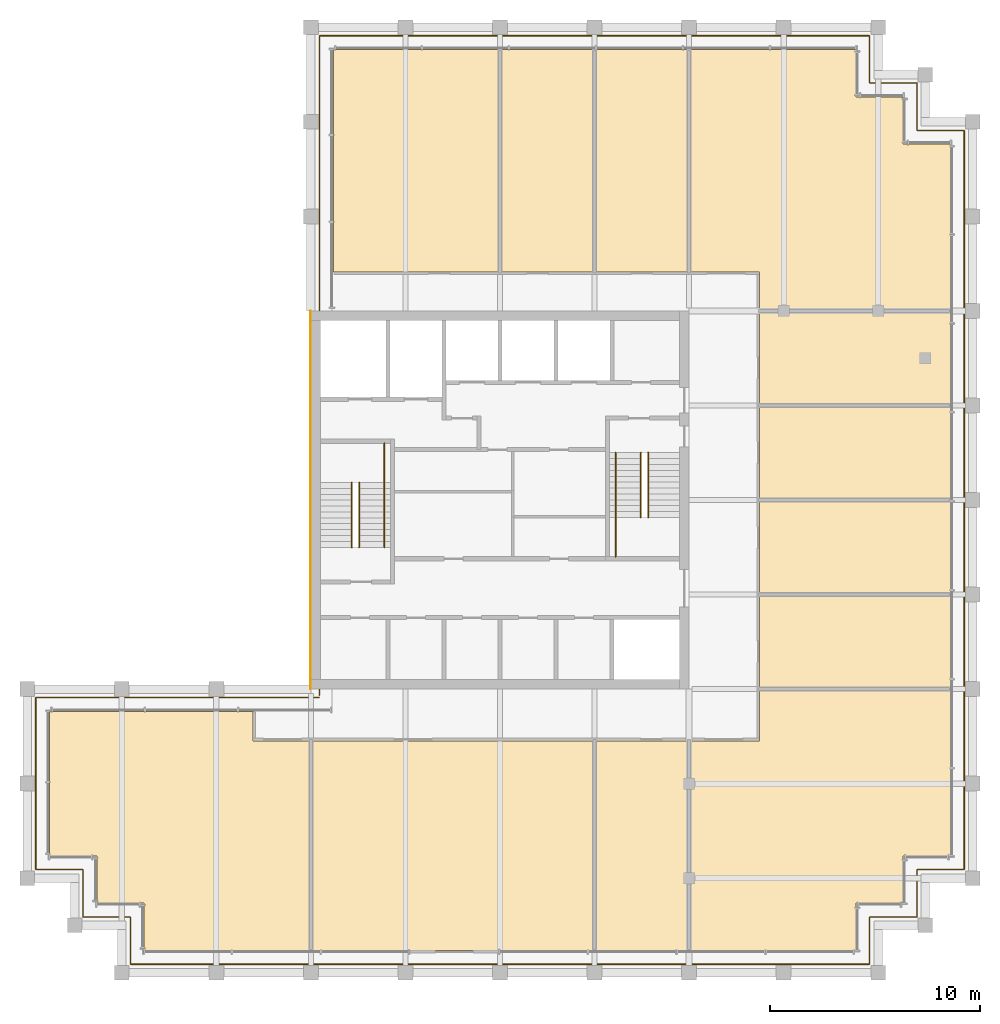
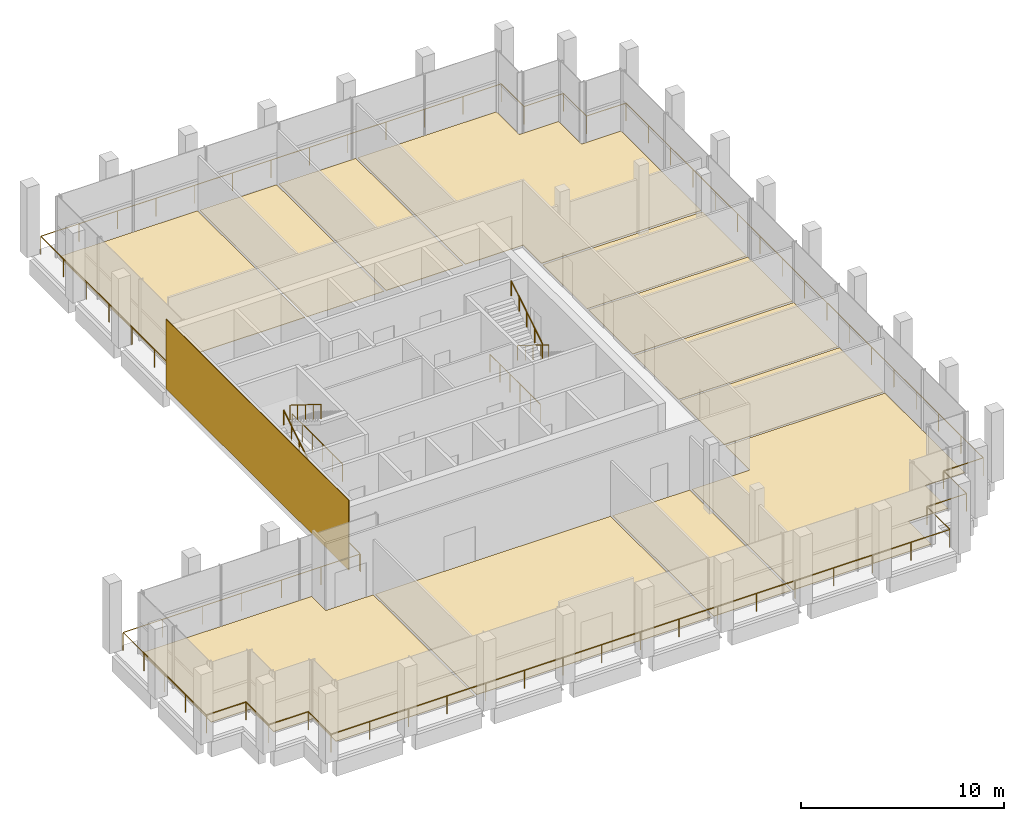
# One storey, part 17 of 17: 13 coverings, 7 railings.
"""IFC4 building model written with IfcOpenShell, lengths in metres."""

from ifc_helpers import new_model, si_unit, direction, frame, origin, origin_2d, place, context, subcontext, project, spatial, polyline, rectangle, circle, outline, extrude, source, transform, mapped, material, layer, layer_set, type_object, element, save


model = new_model("IFC4")

# Units and contexts
model_context = context("Model", 3, precision=1e-05, world=origin(), true_north=direction((0.0, 1.0)))
body_context = subcontext(model_context, "Body", "Model", "MODEL_VIEW")
ifc_project = project(units=[si_unit("LENGTHUNIT", "METRE"), si_unit("AREAUNIT", "SQUARE_METRE"), si_unit("VOLUMEUNIT", "CUBIC_METRE"), si_unit("PLANEANGLEUNIT", "RADIAN"), si_unit("MASSUNIT", "GRAM", prefix="KILO")], contexts=[model_context])

# Site, building, storey
site_placement = place(None, origin())
site = spatial("IfcSite", under=ifc_project, at=site_placement, CompositionType="ELEMENT")
building_placement = place(site_placement, origin())
building = spatial("IfcBuilding", under=site, at=building_placement, Name="Altepetl Exchange Towers", CompositionType="ELEMENT")
storey_placement = place(building_placement, frame((0.0, 0.0, 255.199951171875)))
storey = spatial("IfcBuildingStorey", under=building, at=storey_placement, Name="L65", CompositionType="ELEMENT", Elevation=255.199951171875)

# Coverings
ifc_material_1 = material(Name="Carpet tile")
ifc_layer_1 = layer(ifc_material_1, 0.02001953125)
ifc_layer_set_1 = layer_set([ifc_layer_1], Name="Carpet tile")
covering_type_1 = type_object("IfcCoveringType", Name="Carpet tile floor", PredefinedType="FLOORING", material=ifc_layer_set_1)
covering_1_placement = place(storey_placement, origin())
element("IfcCovering", 1, at=covering_1_placement, inside=storey, type_object=covering_type_1, Name="Pantry floor finish A65.06", PredefinedType="FLOORING", context=body_context, shape_type="SweptSolid", body=[
    extrude(outline(polyline([(70.9375, 49.4375), (61.862548828125, 49.4375), (61.862548828125, 45.0625), (70.9375, 45.0625), (70.9375, 49.4375)])), origin(), (0.0, 0.0, 1.0), 0.02001953125),
])
covering_2_placement = place(storey_placement, origin())
element("IfcCovering", 2, at=covering_2_placement, inside=storey, type_object=covering_type_1, Name="Pantry floor finish A65.08", PredefinedType="FLOORING", context=body_context, shape_type="SweptSolid", body=[
    extrude(outline(polyline([(70.9375, 58.4375), (61.862548828125, 58.4375), (61.862548828125, 54.0625), (70.9375, 54.0625), (70.9375, 58.4375)])), origin(), (0.0, 0.0, 1.0), 0.02001953125),
])
covering_3_placement = place(storey_placement, origin())
element("IfcCovering", 3, at=covering_3_placement, inside=storey, type_object=covering_type_1, Name="Meeting room floor finish A65.11", PredefinedType="FLOORING", context=body_context, shape_type="SweptSolid", body=[
    extrude(outline(polyline([(53.9375, 60.362548828125), (53.9375, 70.9375), (49.5625, 70.9375), (49.5625, 60.362548828125), (53.9375, 60.362548828125)])), origin(), (0.0, 0.0, 1.0), 0.02001953125),
])
ifc_material_2 = material(Name="Cantera stone", Category="masonry")
ifc_layer_2 = layer(ifc_material_2, 0.030029296875)
ifc_layer_set_2 = layer_set([ifc_layer_2], Name="Cantera stone")
covering_type_2 = type_object("IfcCoveringType", Name="Polished stone floor", PredefinedType="FLOORING", material=ifc_layer_set_2)
covering_4_placement = place(storey_placement, origin())
element("IfcCovering", 4, at=covering_4_placement, inside=storey, type_object=covering_type_2, Name="Executive office floor finish A65.01", PredefinedType="FLOORING", context=body_context, shape_type="SweptSolid", body=[
    extrude(outline(polyline([(40.4375, 28.0625), (40.4375, 38.03759765625), (37.737548828125, 38.03759765625), (37.737548828125, 39.4375), (28.0625, 39.4375), (28.0625, 32.5625), (30.3125, 32.5625), (30.3125, 30.3125), (32.5625, 30.3125), (32.5625, 28.0625), (40.4375, 28.0625)])), origin(), (0.0, 0.0, 1.0), 0.030029296875),
])
covering_5_placement = place(storey_placement, origin())
element("IfcCovering", 5, at=covering_5_placement, inside=storey, type_object=covering_type_2, Name="Executive office floor finish A65.02", PredefinedType="FLOORING", context=body_context, shape_type="SweptSolid", body=[
    extrude(outline(polyline([(53.9375, 28.0625), (53.9375, 38.03759765625), (40.5625, 38.03759765625), (40.5625, 28.0625), (53.9375, 28.0625)])), origin(), (0.0, 0.0, 1.0), 0.030029296875),
])
covering_6_placement = place(storey_placement, origin())
element("IfcCovering", 6, at=covering_6_placement, inside=storey, type_object=covering_type_2, Name="Executive dining room floor finish A65.03", PredefinedType="FLOORING", context=body_context, shape_type="SweptSolid", body=[
    extrude(outline(polyline([(58.4375, 28.0625), (58.4375, 38.03759765625), (54.0625, 38.03759765625), (54.0625, 28.0625), (58.4375, 28.0625)])), origin(), (0.0, 0.0, 1.0), 0.030029296875),
])
covering_7_placement = place(storey_placement, origin())
element("IfcCovering", 7, at=covering_7_placement, inside=storey, type_object=covering_type_2, Name="Executive office floor finish A65.04", PredefinedType="FLOORING", context=body_context, shape_type="SweptSolid", body=[
    extrude(outline(polyline([(70.9375, 40.4375), (61.862548828125, 40.4375), (61.862548828125, 38.03759765625), (58.5625, 38.03759765625), (58.5625, 28.0625), (66.4375, 28.0625), (66.4375, 30.3125), (68.6875, 30.3125), (68.6875, 32.5625), (70.9375, 32.5625), (70.9375, 40.4375)])), origin(), (0.0, 0.0, 1.0), 0.030029296875),
])
covering_8_placement = place(storey_placement, origin())
element("IfcCovering", 8, at=covering_8_placement, inside=storey, type_object=covering_type_2, Name="Lounge floor finish A65.05", PredefinedType="FLOORING", context=body_context, shape_type="SweptSolid", body=[
    extrude(outline(polyline([(70.9375, 44.9375), (61.862548828125, 44.9375), (61.862548828125, 40.5625), (70.9375, 40.5625), (70.9375, 44.9375)])), origin(), (0.0, 0.0, 1.0), 0.030029296875),
])
covering_9_placement = place(storey_placement, origin())
element("IfcCovering", 9, at=covering_9_placement, inside=storey, type_object=covering_type_2, Name="Lounge floor finish A65.07", PredefinedType="FLOORING", context=body_context, shape_type="SweptSolid", body=[
    extrude(outline(polyline([(70.9375, 53.9375), (61.862548828125, 53.9375), (61.862548828125, 49.5625), (70.9375, 49.5625), (70.9375, 53.9375)])), origin(), (0.0, 0.0, 1.0), 0.030029296875),
])
covering_10_placement = place(storey_placement, origin())
element("IfcCovering", 10, at=covering_10_placement, inside=storey, type_object=covering_type_2, Name="Cafe floor finish A65.09", PredefinedType="FLOORING", context=body_context, shape_type="SweptSolid", body=[
    extrude(outline(polyline([(66.4375, 70.9375), (58.5625, 70.9375), (58.5625, 60.362548828125), (61.862548828125, 60.362548828125), (61.862548828125, 58.5625), (70.9375, 58.5625), (70.9375, 66.4375), (68.6875, 66.4375), (68.6875, 68.6875), (66.4375, 68.6875), (66.4375, 70.9375)])), origin(), (0.0, 0.0, 1.0), 0.030029296875),
])
covering_11_placement = place(storey_placement, origin())
element("IfcCovering", 11, at=covering_11_placement, inside=storey, type_object=covering_type_2, Name="Boardroom floor finish A65.10", PredefinedType="FLOORING", context=body_context, shape_type="SweptSolid", body=[
    extrude(outline(polyline([(58.4375, 60.362548828125), (58.4375, 70.9375), (54.0625, 70.9375), (54.0625, 60.362548828125), (58.4375, 60.362548828125)])), origin(), (0.0, 0.0, 1.0), 0.030029296875),
])
covering_12_placement = place(storey_placement, origin())
element("IfcCovering", 12, at=covering_12_placement, inside=storey, type_object=covering_type_2, Name="Executive office floor finish A65.12", PredefinedType="FLOORING", context=body_context, shape_type="SweptSolid", body=[
    extrude(outline(polyline([(49.4375, 60.362548828125), (49.4375, 70.9375), (41.5625, 70.9375), (41.5625, 60.362548828125), (49.4375, 60.362548828125)])), origin(), (0.0, 0.0, 1.0), 0.030029296875),
])
ifc_material_3 = material(Name="Cantera limestone cladding", Category="masonry")
ifc_layer_3 = layer(ifc_material_3, 0.0400390625)
ifc_layer_set_3 = layer_set([ifc_layer_3], Name="Cantera limestone cladding")
covering_type_3 = type_object("IfcCoveringType", Name="Stone panel 40 cantera", PredefinedType="CLADDING", material=ifc_layer_set_3)
covering_13_placement = place(storey_placement, frame((40.47998046875, 49.5, 0.0), z_axis=(0.0, 0.0, 1.0), x_axis=(0.0, -1.0, 0.0)))
element("IfcCovering", 13, at=covering_13_placement, inside=storey, type_object=covering_type_3, Name="Stone cladding panel", PredefinedType="CLADDING", context=body_context, shape_type="SweptSolid", body=[
    extrude(rectangle(XDim=18.0, YDim=0.0400390625, at=origin_2d()), origin(), (0.0, 0.0, 1.0), 4.199951171875),
])

# Railings
ifc_material_4 = material(Name="Steel S355", Category="steel")
railing_type_1 = type_object("IfcRailingType", Name="Guard 1100 steel posts and rail", PredefinedType="GUARDRAIL", material=ifc_material_4)
shared_shape_1 = source(origin(), body_context, "Body", "SweptSolid", [
    extrude(circle(Radius=0.02099609375, at=origin_2d()), origin(), (0.0, 0.0, 1.0), 1.052001953125),
])
railing_1_placement = place(storey_placement, frame((40.89990234375, 40.10009765625, 0.0)))
element("IfcRailing", 14, at=railing_1_placement, inside=storey, type_object=railing_type_1, Name="Loggia guard", PredefinedType="GUARDRAIL", context=body_context, shape_type="SweptSolid", body=[
    extrude(circle(Radius=0.02392578125, at=origin_2d()), frame((0.0, 0.0, 1.076171875), z_axis=(-1.0, 0.0, 0.0), x_axis=(0.0, -1.0, 0.0)), (0.0, 0.0, 1.0), 13.5),
    extrude(circle(Radius=0.02392578125, at=origin_2d()), frame((-13.5, 0.0, 1.076171875), z_axis=(0.0, -1.0, 0.0), x_axis=(1.0, 0.0, 0.0)), (0.0, 0.0, 1.0), 8.2001953125),
    extrude(circle(Radius=0.02392578125, at=origin_2d()), frame((-13.5, -8.2001953125, 1.076171875), z_axis=(1.0, 0.0, 0.0), x_axis=(0.0, 1.0, 0.0)), (0.0, 0.0, 1.0), 2.25),
    extrude(circle(Radius=0.02392578125, at=origin_2d()), frame((-11.25, -8.2001953125, 1.076171875), z_axis=(0.0, -1.0, 0.0), x_axis=(1.0, 0.0, 0.0)), (0.0, 0.0, 1.0), 2.25),
    extrude(circle(Radius=0.02392578125, at=origin_2d()), frame((-11.25, -10.4501953125, 1.076171875), z_axis=(1.0, 0.0, 0.0), x_axis=(0.0, 1.0, 0.0)), (0.0, 0.0, 1.0), 2.25),
    extrude(circle(Radius=0.02392578125, at=origin_2d()), frame((-9.0, -10.4501953125, 1.076171875), z_axis=(0.0, -1.0, 0.0), x_axis=(1.0, 0.0, 0.0)), (0.0, 0.0, 1.0), 2.25),
    extrude(circle(Radius=0.02392578125, at=origin_2d()), frame((-9.0, -12.7001953125, 1.076171875), z_axis=(1.0, 0.0, 0.0), x_axis=(0.0, 1.0, 0.0)), (0.0, 0.0, 1.0), 35.2001953125),
    extrude(circle(Radius=0.02392578125, at=origin_2d()), frame((26.2001953125, -12.7001953125, 1.076171875), z_axis=(0.0, 1.0, 0.0), x_axis=(-1.0, 0.0, 0.0)), (0.0, 0.0, 1.0), 2.25),
    extrude(circle(Radius=0.02392578125, at=origin_2d()), frame((26.2001953125, -10.4501953125, 1.076171875), z_axis=(1.0, 0.0, 0.0), x_axis=(0.0, 1.0, 0.0)), (0.0, 0.0, 1.0), 2.25),
    extrude(circle(Radius=0.02392578125, at=origin_2d()), frame((28.4501953125, -10.4501953125, 1.076171875), z_axis=(0.0, 1.0, 0.0), x_axis=(-1.0, 0.0, 0.0)), (0.0, 0.0, 1.0), 2.25),
    extrude(circle(Radius=0.02392578125, at=origin_2d()), frame((28.4501953125, -8.2001953125, 1.076171875), z_axis=(1.0, 0.0, 0.0), x_axis=(0.0, 1.0, 0.0)), (0.0, 0.0, 1.0), 2.25),
    extrude(circle(Radius=0.02392578125, at=origin_2d()), frame((30.7001953125, -8.2001953125, 1.076171875), z_axis=(0.0, 1.0, 0.0), x_axis=(-1.0, 0.0, 0.0)), (0.0, 0.0, 1.0), 35.2001953125),
    extrude(circle(Radius=0.02392578125, at=origin_2d()), frame((30.7001953125, 27.0, 1.076171875), z_axis=(-1.0, 0.0, 0.0), x_axis=(0.0, -1.0, 0.0)), (0.0, 0.0, 1.0), 2.25),
    extrude(circle(Radius=0.02392578125, at=origin_2d()), frame((28.4501953125, 27.0, 1.076171875), z_axis=(0.0, 1.0, 0.0), x_axis=(-1.0, 0.0, 0.0)), (0.0, 0.0, 1.0), 2.25),
    extrude(circle(Radius=0.02392578125, at=origin_2d()), frame((28.4501953125, 29.25, 1.076171875), z_axis=(-1.0, 0.0, 0.0), x_axis=(0.0, -1.0, 0.0)), (0.0, 0.0, 1.0), 2.25),
    extrude(circle(Radius=0.02392578125, at=origin_2d()), frame((26.2001953125, 29.25, 1.076171875), z_axis=(0.0, 1.0, 0.0), x_axis=(-1.0, 0.0, 0.0)), (0.0, 0.0, 1.0), 2.25),
    extrude(circle(Radius=0.02392578125, at=origin_2d()), frame((26.2001953125, 31.5, 1.076171875), z_axis=(-1.0, 0.0, 0.0), x_axis=(0.0, -1.0, 0.0)), (0.0, 0.0, 1.0), 26.2001953125),
    extrude(circle(Radius=0.02392578125, at=origin_2d()), frame((0.0, 31.5, 1.076171875), z_axis=(0.0, -1.0, 0.0), x_axis=(1.0, 0.0, 0.0)), (0.0, 0.0, 1.0), 31.400146484375),
    mapped(shared_shape_1, transform((0.0, 0.0, 0.0))),
    mapped(shared_shape_1, transform((-2.25, 0.0, 0.0))),
    mapped(shared_shape_1, transform((-4.5, 0.0, 0.0))),
    mapped(shared_shape_1, transform((-6.75, 0.0, 0.0))),
    mapped(shared_shape_1, transform((-9.0, 0.0, 0.0))),
    mapped(shared_shape_1, transform((-11.25, 0.0, 0.0))),
    mapped(shared_shape_1, transform((-13.5, 0.0, 0.0))),
    mapped(shared_shape_1, transform((-13.5, -2.050048828125, 0.0))),
    mapped(shared_shape_1, transform((-13.5, -4.10009765625, 0.0))),
    mapped(shared_shape_1, transform((-13.5, -6.150146484375, 0.0))),
    mapped(shared_shape_1, transform((-13.5, -8.2001953125, 0.0))),
    mapped(shared_shape_1, transform((-11.25, -8.2001953125, 0.0))),
    mapped(shared_shape_1, transform((-11.25, -10.4501953125, 0.0))),
    mapped(shared_shape_1, transform((-9.0, -10.4501953125, 0.0))),
    mapped(shared_shape_1, transform((-9.0, -12.7001953125, 0.0))),
    mapped(shared_shape_1, transform((-6.800048828125, -12.7001953125, 0.0))),
    mapped(shared_shape_1, transform((-4.60009765625, -12.7001953125, 0.0))),
    mapped(shared_shape_1, transform((-2.39990234375, -12.7001953125, 0.0))),
    mapped(shared_shape_1, transform((-0.199951171875, -12.7001953125, 0.0))),
    mapped(shared_shape_1, transform((2.0, -12.7001953125, 0.0))),
    mapped(shared_shape_1, transform((4.2001953125, -12.7001953125, 0.0))),
    mapped(shared_shape_1, transform((6.400146484375, -12.7001953125, 0.0))),
    mapped(shared_shape_1, transform((8.60009765625, -12.7001953125, 0.0))),
    mapped(shared_shape_1, transform((10.800048828125, -12.7001953125, 0.0))),
    mapped(shared_shape_1, transform((13.0, -12.7001953125, 0.0))),
    mapped(shared_shape_1, transform((15.2001953125, -12.7001953125, 0.0))),
    mapped(shared_shape_1, transform((17.400146484375, -12.7001953125, 0.0))),
    mapped(shared_shape_1, transform((19.60009765625, -12.7001953125, 0.0))),
    mapped(shared_shape_1, transform((21.80029296875, -12.7001953125, 0.0))),
    mapped(shared_shape_1, transform((24.000244140625, -12.7001953125, 0.0))),
    mapped(shared_shape_1, transform((26.2001953125, -12.7001953125, 0.0))),
    mapped(shared_shape_1, transform((26.2001953125, -10.4501953125, 0.0))),
    mapped(shared_shape_1, transform((28.4501953125, -10.4501953125, 0.0))),
    mapped(shared_shape_1, transform((28.4501953125, -8.2001953125, 0.0))),
    mapped(shared_shape_1, transform((30.7001953125, -8.2001953125, 0.0))),
    mapped(shared_shape_1, transform((30.7001953125, -6.000244140625, 0.0))),
    mapped(shared_shape_1, transform((30.7001953125, -3.80029296875, 0.0))),
    mapped(shared_shape_1, transform((30.7001953125, -1.60009765625, 0.0))),
    mapped(shared_shape_1, transform((30.7001953125, 0.599853515625, 0.0))),
    mapped(shared_shape_1, transform((30.7001953125, 2.7998046875, 0.0))),
    mapped(shared_shape_1, transform((30.7001953125, 5.0, 0.0))),
    mapped(shared_shape_1, transform((30.7001953125, 7.199951171875, 0.0))),
    mapped(shared_shape_1, transform((30.7001953125, 9.39990234375, 0.0))),
    mapped(shared_shape_1, transform((30.7001953125, 11.599853515625, 0.0))),
    mapped(shared_shape_1, transform((30.7001953125, 13.7998046875, 0.0))),
    mapped(shared_shape_1, transform((30.7001953125, 16.0, 0.0))),
    mapped(shared_shape_1, transform((30.7001953125, 18.199951171875, 0.0))),
    mapped(shared_shape_1, transform((30.7001953125, 20.39990234375, 0.0))),
    mapped(shared_shape_1, transform((30.7001953125, 22.60009765625, 0.0))),
    mapped(shared_shape_1, transform((30.7001953125, 24.800048828125, 0.0))),
    mapped(shared_shape_1, transform((30.7001953125, 27.0, 0.0))),
    mapped(shared_shape_1, transform((28.4501953125, 27.0, 0.0))),
    mapped(shared_shape_1, transform((28.4501953125, 29.25, 0.0))),
    mapped(shared_shape_1, transform((26.2001953125, 29.25, 0.0))),
    mapped(shared_shape_1, transform((26.2001953125, 31.5, 0.0))),
    mapped(shared_shape_1, transform((24.016845703125, 31.5, 0.0))),
    mapped(shared_shape_1, transform((21.83349609375, 31.5, 0.0))),
    mapped(shared_shape_1, transform((19.650146484375, 31.5, 0.0))),
    mapped(shared_shape_1, transform((17.466796875, 31.5, 0.0))),
    mapped(shared_shape_1, transform((15.283447265625, 31.5, 0.0))),
    mapped(shared_shape_1, transform((13.10009765625, 31.5, 0.0))),
    mapped(shared_shape_1, transform((10.916748046875, 31.5, 0.0))),
    mapped(shared_shape_1, transform((8.7333984375, 31.5, 0.0))),
    mapped(shared_shape_1, transform((6.550048828125, 31.5, 0.0))),
    mapped(shared_shape_1, transform((4.36669921875, 31.5, 0.0))),
    mapped(shared_shape_1, transform((2.183349609375, 31.5, 0.0))),
    mapped(shared_shape_1, transform((0.0, 31.5, 0.0))),
    mapped(shared_shape_1, transform((0.0, 29.257080078125, 0.0))),
    mapped(shared_shape_1, transform((0.0, 27.01416015625, 0.0))),
    mapped(shared_shape_1, transform((0.0, 24.771484375, 0.0))),
    mapped(shared_shape_1, transform((0.0, 22.528564453125, 0.0))),
    mapped(shared_shape_1, transform((0.0, 20.28564453125, 0.0))),
    mapped(shared_shape_1, transform((0.0, 18.042724609375, 0.0))),
    mapped(shared_shape_1, transform((0.0, 15.7998046875, 0.0))),
    mapped(shared_shape_1, transform((0.0, 13.55712890625, 0.0))),
    mapped(shared_shape_1, transform((0.0, 11.314208984375, 0.0))),
    mapped(shared_shape_1, transform((0.0, 9.0712890625, 0.0))),
    mapped(shared_shape_1, transform((0.0, 6.828369140625, 0.0))),
    mapped(shared_shape_1, transform((0.0, 4.585693359375, 0.0))),
    mapped(shared_shape_1, transform((0.0, 2.3427734375, 0.0))),
    mapped(shared_shape_1, transform((0.0, 0.099853515625, 0.0))),
])
ifc_material_5 = material(Name="Steel", Category="steel")
railing_type_2 = type_object("IfcRailingType", Name="Stair handrail 50 steel tube", PredefinedType="HANDRAIL", material=ifc_material_5)
shared_shape_2 = source(origin(), body_context, "Body", "SweptSolid", [
    extrude(circle(Radius=0.02099609375, at=origin_2d()), origin(), (0.0, 0.0, 1.0), 0.851806640625),
])
railing_2_placement = place(storey_placement, frame((42.43994140625, 47.25, 0.175048828125)))
element("IfcRailing", 15, at=railing_2_placement, inside=storey, type_object=railing_type_2, Name="Stair handrail", PredefinedType="HANDRAIL", context=body_context, shape_type="SweptSolid", body=[
    extrude(circle(Radius=0.02392578125, at=origin_2d()), frame((0.0, 0.0, 0.8759765625), z_axis=(0.0, 0.847998304005, 0.529998940003), x_axis=(-1.0, 0.0, 0.0)), (0.0, 0.0, 1.0), 3.632080078125),
    mapped(shared_shape_2, transform((0.0, 0.0, 0.0))),
    mapped(shared_shape_2, transform((0.0, 0.77001953125, 0.481201171875))),
    mapped(shared_shape_2, transform((0.0, 1.5400390625, 0.96240234375))),
    mapped(shared_shape_2, transform((0.0, 2.31005859375, 1.44384765625))),
    mapped(shared_shape_2, transform((0.0, 3.080078125, 1.925048828125))),
])
railing_3_placement = place(storey_placement, frame((42.7900390625, 50.330078125, 2.275146484375)))
element("IfcRailing", 16, at=railing_3_placement, inside=storey, type_object=railing_type_2, Name="Stair handrail", PredefinedType="HANDRAIL", context=body_context, shape_type="SweptSolid", body=[
    extrude(circle(Radius=0.02392578125, at=origin_2d()), frame((0.0, 0.0, 0.8759765625), z_axis=(0.0, -0.848028513186, 0.529950602248), x_axis=(1.0, 0.0, 0.0)), (0.0, 0.0, 1.0), 3.632080078125),
    mapped(shared_shape_2, transform((0.0, 0.0, 0.0))),
    mapped(shared_shape_2, transform((0.0, -0.77001953125, 0.481201171875))),
    mapped(shared_shape_2, transform((0.0, -1.5400390625, 0.96240234375))),
    mapped(shared_shape_2, transform((0.0, -2.31005859375, 1.443603515625))),
    mapped(shared_shape_2, transform((0.0, -3.080078125, 1.9248046875))),
])
railing_4_placement = place(storey_placement, frame((56.56005859375, 51.75, 0.175048828125)))
element("IfcRailing", 17, at=railing_4_placement, inside=storey, type_object=railing_type_2, Name="Stair handrail", PredefinedType="HANDRAIL", context=body_context, shape_type="SweptSolid", body=[
    extrude(circle(Radius=0.02392578125, at=origin_2d()), frame((0.0, 0.0, 0.8759765625), z_axis=(0.0, -0.847998304005, 0.529998940003), x_axis=(1.0, 0.0, 0.0)), (0.0, 0.0, 1.0), 3.632080078125),
    mapped(shared_shape_2, transform((0.0, 0.0, 0.0))),
    mapped(shared_shape_2, transform((0.0, -0.77001953125, 0.481201171875))),
    mapped(shared_shape_2, transform((0.0, -1.5400390625, 0.96240234375))),
    mapped(shared_shape_2, transform((0.0, -2.31005859375, 1.44384765625))),
    mapped(shared_shape_2, transform((0.0, -3.080078125, 1.925048828125))),
])
railing_5_placement = place(storey_placement, frame((56.2099609375, 48.669921875, 2.275146484375)))
element("IfcRailing", 18, at=railing_5_placement, inside=storey, type_object=railing_type_2, Name="Stair handrail", PredefinedType="HANDRAIL", context=body_context, shape_type="SweptSolid", body=[
    extrude(circle(Radius=0.02392578125, at=origin_2d()), frame((0.0, 0.0, 0.8759765625), z_axis=(0.0, 0.848028513186, 0.529950602248), x_axis=(-1.0, 0.0, 0.0)), (0.0, 0.0, 1.0), 3.632080078125),
    mapped(shared_shape_2, transform((0.0, 0.0, 0.0))),
    mapped(shared_shape_2, transform((0.0, 0.77001953125, 0.481201171875))),
    mapped(shared_shape_2, transform((0.0, 1.5400390625, 0.96240234375))),
    mapped(shared_shape_2, transform((0.0, 2.31005859375, 1.443603515625))),
    mapped(shared_shape_2, transform((0.0, 3.080078125, 1.9248046875))),
])
railing_type_3 = type_object("IfcRailingType", Name="Stair well guard 1100 steel", PredefinedType="GUARDRAIL", material=ifc_material_5)
shared_shape_3 = source(origin(), body_context, "Body", "SweptSolid", [
    extrude(circle(Radius=0.02099609375, at=origin_2d()), origin(), (0.0, 0.0, 1.0), 1.052001953125),
])
for number, where, name in (
    (19, (44.0, 47.250732421875, 0.0), "Stair well guard"),
    (20, (55.0, 46.800048828125, 0.0), "Stair well guard"),
):
    element("IfcRailing", number, at=place(storey_placement, frame(where)), inside=storey, type_object=railing_type_3, Name=name, PredefinedType="GUARDRAIL", context=body_context, shape_type="SweptSolid", body=[
        extrude(circle(Radius=0.02392578125, at=origin_2d()), frame((0.0, 0.0, 1.076171875), z_axis=(0.0, 1.0, 0.0), x_axis=(-1.0, 0.0, 0.0)), (0.0, 0.0, 1.0), 4.94921875),
        mapped(shared_shape_3, transform((0.0, 0.0, 0.0))),
        mapped(shared_shape_3, transform((0.0, 0.98974609375, 0.0))),
        mapped(shared_shape_3, transform((0.0, 1.979736328125, 0.0))),
        mapped(shared_shape_3, transform((0.0, 2.969482421875, 0.0))),
        mapped(shared_shape_3, transform((0.0, 3.95947265625, 0.0))),
        mapped(shared_shape_3, transform((0.0, 4.94921875, 0.0))),
    ])

save(model, "model.ifc")
